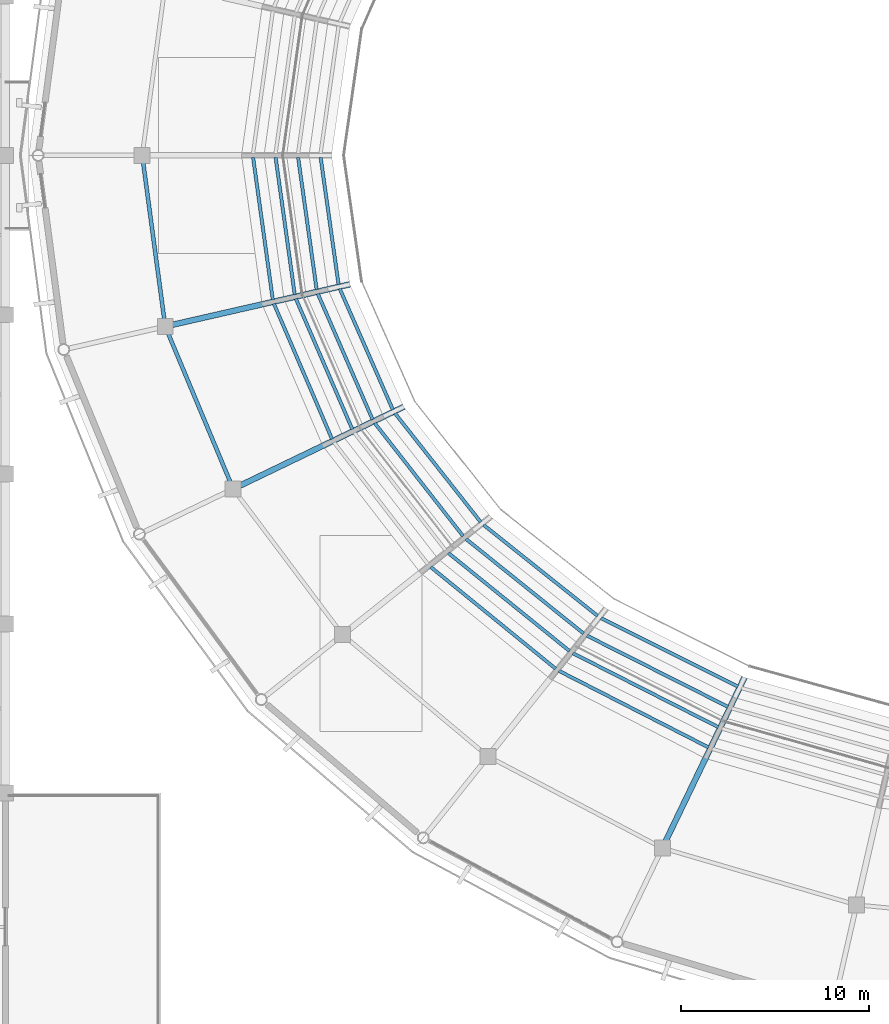
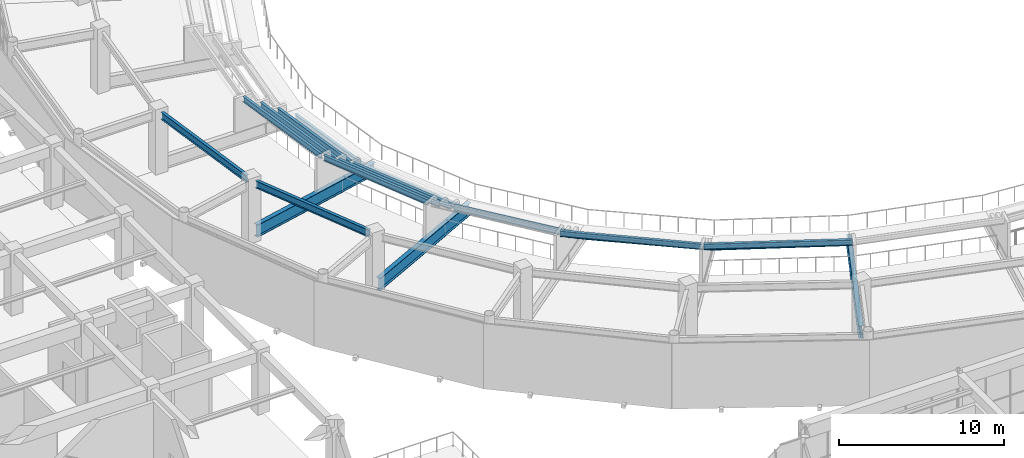
# One storey, part 29 of 122: 23 beams.
"""IFC4 building model written with IfcOpenShell, lengths in metres."""

from ifc_helpers import new_model, si_unit, direction, frame, origin, origin_2d, place, context, subcontext, project, spatial, i_section, extrude, material, material_profile, profile_set, type_object, element, save


model = new_model("IFC4")

# Units and contexts
model_context = context("Model", 3, precision=1e-05, world=origin(), true_north=direction((0.0, 1.0)))
body_context = subcontext(model_context, "Body", "Model", "MODEL_VIEW")
ifc_project = project(units=[si_unit("LENGTHUNIT", "METRE"), si_unit("AREAUNIT", "SQUARE_METRE"), si_unit("VOLUMEUNIT", "CUBIC_METRE"), si_unit("PLANEANGLEUNIT", "RADIAN"), si_unit("MASSUNIT", "GRAM", prefix="KILO")], contexts=[model_context])

# Site, building, storey
site_placement = place(None, origin())
site = spatial("IfcSite", under=ifc_project, at=site_placement, CompositionType="ELEMENT")
building_placement = place(site_placement, origin())
building = spatial("IfcBuilding", under=site, at=building_placement, Name="Cuetzalor Civic Arena", CompositionType="ELEMENT")
storey_placement = place(building_placement, frame((0.0, 0.0, 16.199951171875)))
storey = spatial("IfcBuildingStorey", under=building, at=storey_placement, Name="L03", CompositionType="ELEMENT", Elevation=16.199951171875)

# Beams
ifc_material_1 = material(Name="Steel S355", Category="steel")
ifc_material_profile_1 = material_profile(ifc_material_1, i_section(OverallWidth=0.208984375, OverallDepth=0.532958984375, WebThickness=0.01025390625, FlangeThickness=0.015625, at=origin_2d()), Name="W530x92")
ifc_profile_set_1 = profile_set([ifc_material_profile_1], Name="Steel S355")
beam_type_1 = type_object("IfcBeamType", Name="SteelCollarGirder_W530", PredefinedType="BEAM", material=ifc_profile_set_1)
beam_1_placement = place(storey_placement, frame((-48.95068359375, -0.36669921875, 4.253662109375), z_axis=(0.13346702922, -0.991053253923, 0.0), x_axis=(0.991053253923, 0.13346702922, 0.0)))
element("IfcBeam", 1, at=beam_1_placement, inside=storey, type_object=beam_type_1, Name="Drum Concourse Ring Girder L03-S15", PredefinedType="BEAM", context=body_context, shape_type="SweptSolid", body=[
    extrude(i_section(OverallWidth=0.208984375, OverallDepth=0.532958984375, WebThickness=0.01025390625, FlangeThickness=0.015625, at=origin_2d()), origin(), (0.0, 0.0, 1.0), 8.465576171875),
])
beam_2_placement = place(storey_placement, frame((-47.628662109375, -9.46484375, 4.253662109375), z_axis=(0.385813116722, -0.922576955579, 0.0), x_axis=(0.922576955579, 0.385813116722, 0.0)))
element("IfcBeam", 2, at=beam_2_placement, inside=storey, type_object=beam_type_1, Name="Drum Concourse Ring Girder L03-S16", PredefinedType="BEAM", context=body_context, shape_type="SweptSolid", body=[
    extrude(i_section(OverallWidth=0.208984375, OverallDepth=0.532958984375, WebThickness=0.01025390625, FlangeThickness=0.015625, at=origin_2d()), origin(), (0.0, 0.0, 1.0), 8.65283203125),
])
ifc_material_2 = material(Name="Steel S355", Category="steel")
ifc_material_profile_2 = material_profile(ifc_material_2, i_section(OverallWidth=0.177978515625, OverallDepth=0.406982421875, WebThickness=0.0078125, FlangeThickness=0.0126953125, at=origin_2d()), Name="W410x60")
ifc_profile_set_2 = profile_set([ifc_material_profile_2], Name="Steel S355")
beam_type_2 = type_object("IfcBeamType", Name="SteelSecondaryBeam_W410", PredefinedType="BEAM", material=ifc_profile_set_2)
beam_3_placement = place(storey_placement, frame((-39.48486328125, -0.10693359375, 0.70751953125), z_axis=(0.139872342407, -0.990169544992, 0.0), x_axis=(0.990169544992, 0.139872342407, 0.0)))
element("IfcBeam", 3, at=beam_3_placement, inside=storey, type_object=beam_type_2, Name="Upper Bowl Tier Carrier Beam S15-R1", PredefinedType="BEAM", context=body_context, shape_type="SweptSolid", body=[
    extrude(i_section(OverallWidth=0.177978515625, OverallDepth=0.406982421875, WebThickness=0.0078125, FlangeThickness=0.0126953125, at=origin_2d()), origin(), (0.0, 0.0, 1.0), 6.863037109375),
])
beam_4_placement = place(storey_placement, frame((-40.68505859375, -0.10693359375, 1.551513671875), z_axis=(0.138885554946, -0.990308438128, 0.0), x_axis=(0.990308438128, 0.138885554946, 0.0)))
element("IfcBeam", 4, at=beam_4_placement, inside=storey, type_object=beam_type_2, Name="Upper Bowl Tier Carrier Beam S15-R2", PredefinedType="BEAM", context=body_context, shape_type="SweptSolid", body=[
    extrude(i_section(OverallWidth=0.177978515625, OverallDepth=0.406982421875, WebThickness=0.0078125, FlangeThickness=0.0126953125, at=origin_2d()), origin(), (0.0, 0.0, 1.0), 7.131591796875),
])
beam_5_placement = place(storey_placement, frame((-41.885009765625, -0.10693359375, 2.401611328125), z_axis=(0.137901017398, -0.990446015389, 0.0), x_axis=(0.990446015389, 0.137901017398, 0.0)))
element("IfcBeam", 5, at=beam_5_placement, inside=storey, type_object=beam_type_2, Name="Upper Bowl Tier Carrier Beam S15-R3", PredefinedType="BEAM", context=body_context, shape_type="SweptSolid", body=[
    extrude(i_section(OverallWidth=0.177978515625, OverallDepth=0.406982421875, WebThickness=0.0078125, FlangeThickness=0.0126953125, at=origin_2d()), origin(), (0.0, 0.0, 1.0), 7.400390625),
])
beam_6_placement = place(storey_placement, frame((-43.085205078125, -0.10693359375, 3.25146484375), z_axis=(0.13704781732, -0.990564432921, 0.0), x_axis=(0.990564432921, 0.13704781732, 0.0)))
element("IfcBeam", 6, at=beam_6_placement, inside=storey, type_object=beam_type_2, Name="Upper Bowl Tier Carrier Beam S15-R4", PredefinedType="BEAM", context=body_context, shape_type="SweptSolid", body=[
    extrude(i_section(OverallWidth=0.177978515625, OverallDepth=0.406982421875, WebThickness=0.0078125, FlangeThickness=0.0126953125, at=origin_2d()), origin(), (0.0, 0.0, 1.0), 7.6689453125),
])
beam_7_placement = place(storey_placement, frame((-38.46630859375, -7.1083984375, 0.70751953125), z_axis=(0.401827995853, -0.915715164092, 0.0), x_axis=(0.915715164092, 0.401827995853, 0.0)))
element("IfcBeam", 7, at=beam_7_placement, inside=storey, type_object=beam_type_2, Name="Upper Bowl Tier Carrier Beam S16-R1", PredefinedType="BEAM", context=body_context, shape_type="SweptSolid", body=[
    extrude(i_section(OverallWidth=0.177978515625, OverallDepth=0.406982421875, WebThickness=0.0078125, FlangeThickness=0.0126953125, at=origin_2d()), origin(), (0.0, 0.0, 1.0), 7.054443359375),
])
beam_8_placement = place(storey_placement, frame((-39.636474609375, -7.37548828125, 1.551513671875), z_axis=(0.399312420553, -0.916814916323, 0.0), x_axis=(0.916814916323, 0.399312420553, 0.0)))
element("IfcBeam", 8, at=beam_8_placement, inside=storey, type_object=beam_type_2, Name="Upper Bowl Tier Carrier Beam S16-R2", PredefinedType="BEAM", context=body_context, shape_type="SweptSolid", body=[
    extrude(i_section(OverallWidth=0.177978515625, OverallDepth=0.406982421875, WebThickness=0.0078125, FlangeThickness=0.0126953125, at=origin_2d()), origin(), (0.0, 0.0, 1.0), 7.32275390625),
])
beam_9_placement = place(storey_placement, frame((-40.806640625, -7.642578125, 2.401611328125), z_axis=(0.396956554552, -0.917837400523, 0.0), x_axis=(0.917837400523, 0.396956554552, 0.0)))
element("IfcBeam", 9, at=beam_9_placement, inside=storey, type_object=beam_type_2, Name="Upper Bowl Tier Carrier Beam S16-R3", PredefinedType="BEAM", context=body_context, shape_type="SweptSolid", body=[
    extrude(i_section(OverallWidth=0.177978515625, OverallDepth=0.406982421875, WebThickness=0.0078125, FlangeThickness=0.0126953125, at=origin_2d()), origin(), (0.0, 0.0, 1.0), 7.5908203125),
])
beam_10_placement = place(storey_placement, frame((-41.976806640625, -7.90966796875, 3.25146484375), z_axis=(0.394758994464, -0.918784706169, 0.0), x_axis=(0.918784706169, 0.394758994464, 0.0)))
element("IfcBeam", 10, at=beam_10_placement, inside=storey, type_object=beam_type_2, Name="Upper Bowl Tier Carrier Beam S16-R4", PredefinedType="BEAM", context=body_context, shape_type="SweptSolid", body=[
    extrude(i_section(OverallWidth=0.177978515625, OverallDepth=0.406982421875, WebThickness=0.0078125, FlangeThickness=0.0126953125, at=origin_2d()), origin(), (0.0, 0.0, 1.0), 7.858642578125),
])
beam_11_placement = place(storey_placement, frame((-35.521484375, -13.752197265625, 0.70751953125), z_axis=(0.618890762306, -0.785477067986, 0.0), x_axis=(0.785477067986, 0.618890762306, 0.0)))
element("IfcBeam", 11, at=beam_11_placement, inside=storey, type_object=beam_type_2, Name="Upper Bowl Tier Carrier Beam S17-R1", PredefinedType="BEAM", context=body_context, shape_type="SweptSolid", body=[
    extrude(i_section(OverallWidth=0.177978515625, OverallDepth=0.406982421875, WebThickness=0.0078125, FlangeThickness=0.0126953125, at=origin_2d()), origin(), (0.0, 0.0, 1.0), 7.387939453125),
])
beam_12_placement = place(storey_placement, frame((-36.602783203125, -14.273193359375, 1.551513671875), z_axis=(0.61605368018, -0.787704172349, 0.0), x_axis=(0.787704172349, 0.61605368018, 0.0)))
element("IfcBeam", 12, at=beam_12_placement, inside=storey, type_object=beam_type_2, Name="Upper Bowl Tier Carrier Beam S17-R2", PredefinedType="BEAM", context=body_context, shape_type="SweptSolid", body=[
    extrude(i_section(OverallWidth=0.177978515625, OverallDepth=0.406982421875, WebThickness=0.0078125, FlangeThickness=0.0126953125, at=origin_2d()), origin(), (0.0, 0.0, 1.0), 7.65478515625),
])
beam_13_placement = place(storey_placement, frame((-30.7978515625, -19.707275390625, 0.70751953125), z_axis=(0.781840949044, -0.623477930963, 0.0), x_axis=(0.623477930963, 0.781840949044, 0.0)))
element("IfcBeam", 13, at=beam_13_placement, inside=storey, type_object=beam_type_2, Name="Upper Bowl Tier Carrier Beam S18-R1", PredefinedType="BEAM", context=body_context, shape_type="SweptSolid", body=[
    extrude(i_section(OverallWidth=0.177978515625, OverallDepth=0.406982421875, WebThickness=0.0078125, FlangeThickness=0.0126953125, at=origin_2d()), origin(), (0.0, 0.0, 1.0), 7.78369140625),
])
beam_14_placement = place(storey_placement, frame((-31.736328125, -20.455810546875, 1.551513671875), z_axis=(0.779559434409, -0.626328259162, 0.0), x_axis=(0.626328259162, 0.779559434409, 0.0)))
element("IfcBeam", 14, at=beam_14_placement, inside=storey, type_object=beam_type_2, Name="Upper Bowl Tier Carrier Beam S18-R2", PredefinedType="BEAM", context=body_context, shape_type="SweptSolid", body=[
    extrude(i_section(OverallWidth=0.177978515625, OverallDepth=0.406982421875, WebThickness=0.0078125, FlangeThickness=0.0126953125, at=origin_2d()), origin(), (0.0, 0.0, 1.0), 8.05078125),
])
beam_15_placement = place(storey_placement, frame((-32.6748046875, -21.2041015625, 2.401611328125), z_axis=(0.777400684757, -0.629005703742, 0.0), x_axis=(0.629005703742, 0.777400684757, 0.0)))
element("IfcBeam", 15, at=beam_15_placement, inside=storey, type_object=beam_type_2, Name="Upper Bowl Tier Carrier Beam S18-R3", PredefinedType="BEAM", context=body_context, shape_type="SweptSolid", body=[
    extrude(i_section(OverallWidth=0.177978515625, OverallDepth=0.406982421875, WebThickness=0.0078125, FlangeThickness=0.0126953125, at=origin_2d()), origin(), (0.0, 0.0, 1.0), 8.318115234375),
])
beam_16_placement = place(storey_placement, frame((-33.61328125, -21.95263671875, 3.25146484375), z_axis=(0.775407216872, -0.631461517452, 0.0), x_axis=(0.631461517452, 0.775407216872, 0.0)))
element("IfcBeam", 16, at=beam_16_placement, inside=storey, type_object=beam_type_2, Name="Upper Bowl Tier Carrier Beam S18-R4", PredefinedType="BEAM", context=body_context, shape_type="SweptSolid", body=[
    extrude(i_section(OverallWidth=0.177978515625, OverallDepth=0.406982421875, WebThickness=0.0078125, FlangeThickness=0.0126953125, at=origin_2d()), origin(), (0.0, 0.0, 1.0), 8.58544921875),
])
beam_17_placement = place(storey_placement, frame((-24.53125, -24.676025390625, 0.70751953125), z_axis=(0.894037945543, -0.447991240907, 0.0), x_axis=(0.447991240907, 0.894037945543, 0.0)))
element("IfcBeam", 17, at=beam_17_placement, inside=storey, type_object=beam_type_2, Name="Upper Bowl Tier Carrier Beam S19-R1", PredefinedType="BEAM", context=body_context, shape_type="SweptSolid", body=[
    extrude(i_section(OverallWidth=0.177978515625, OverallDepth=0.406982421875, WebThickness=0.0078125, FlangeThickness=0.0126953125, at=origin_2d()), origin(), (0.0, 0.0, 1.0), 8.160888671875),
])
beam_18_placement = place(storey_placement, frame((-25.279541015625, -25.614501953125, 1.551513671875), z_axis=(0.892682460689, -0.45068617061, 0.0), x_axis=(0.45068617061, 0.892682460689, 0.0)))
element("IfcBeam", 18, at=beam_18_placement, inside=storey, type_object=beam_type_2, Name="Upper Bowl Tier Carrier Beam S19-R2", PredefinedType="BEAM", context=body_context, shape_type="SweptSolid", body=[
    extrude(i_section(OverallWidth=0.177978515625, OverallDepth=0.406982421875, WebThickness=0.0078125, FlangeThickness=0.0126953125, at=origin_2d()), origin(), (0.0, 0.0, 1.0), 8.428466796875),
])
beam_19_placement = place(storey_placement, frame((-26.02783203125, -26.552978515625, 2.401611328125), z_axis=(0.891420116487, -0.453177863452, 0.0), x_axis=(0.453177863452, 0.891420116487, 0.0)))
element("IfcBeam", 19, at=beam_19_placement, inside=storey, type_object=beam_type_2, Name="Upper Bowl Tier Carrier Beam S19-R3", PredefinedType="BEAM", context=body_context, shape_type="SweptSolid", body=[
    extrude(i_section(OverallWidth=0.177978515625, OverallDepth=0.406982421875, WebThickness=0.0078125, FlangeThickness=0.0126953125, at=origin_2d()), origin(), (0.0, 0.0, 1.0), 8.6962890625),
])
beam_20_placement = place(storey_placement, frame((-26.7763671875, -27.491455078125, 3.25146484375), z_axis=(0.890226845058, -0.455517468751, 0.0), x_axis=(0.455517468751, 0.890226845058, 0.0)))
element("IfcBeam", 20, at=beam_20_placement, inside=storey, type_object=beam_type_2, Name="Upper Bowl Tier Carrier Beam S19-R4", PredefinedType="BEAM", context=body_context, shape_type="SweptSolid", body=[
    extrude(i_section(OverallWidth=0.177978515625, OverallDepth=0.406982421875, WebThickness=0.0078125, FlangeThickness=0.0126953125, at=origin_2d()), origin(), (0.0, 0.0, 1.0), 8.9638671875),
])
ifc_material_3 = material(Name="Steel S355", Category="steel")
ifc_material_profile_3 = material_profile(ifc_material_3, i_section(OverallWidth=0.303955078125, OverallDepth=0.910888671875, WebThickness=0.015869140625, FlangeThickness=0.02392578125, at=origin_2d()), Name="W920x223")
ifc_profile_set_3 = profile_set([ifc_material_profile_3], Name="Steel S355")
beam_type_3 = type_object("IfcBeamType", Name="UpperBowlRakerBeam_W840", PredefinedType="USERDEFINED", material=ifc_profile_set_3)
beam_21_placement = place(storey_placement, frame((-37.9248046875, -6.8759765625, 0.45556640625), z_axis=(-0.974928142216, -0.222519926106, 0.0), x_axis=(0.222519926106, -0.974928142216, 0.0)))
element("IfcBeam", 21, at=beam_21_placement, inside=storey, type_object=beam_type_3, Name="Upper Bowl Raker Beam R16", ObjectType="RAKER", PredefinedType="USERDEFINED", context=body_context, shape_type="SweptSolid", body=[
    extrude(i_section(OverallWidth=0.303955078125, OverallDepth=0.910888671875, WebThickness=0.015869140625, FlangeThickness=0.02392578125, at=origin_2d()), origin(), (0.0, 0.0, 1.0), 9.7197265625),
])
for number, where, z_axis, x_axis, name in (
    (22, (-35.047607421875, -13.406982421875, 0.45556640625), (-0.900974397219, -0.433872257187, 0.0), (0.433872257187, -0.900974397219, 0.0), "Upper Bowl Raker Beam R17"),
    (23, (-16.878173828125, -27.83984375, 0.45556640625), (-0.433872257187, -0.900974397219, 0.0), (0.900974397219, -0.433872257187, 0.0), "Upper Bowl Raker Beam R20"),
):
    element("IfcBeam", number, at=place(storey_placement, frame(where, z_axis=z_axis, x_axis=x_axis)), inside=storey, type_object=beam_type_3, Name=name, ObjectType="RAKER", PredefinedType="USERDEFINED", context=body_context, shape_type="SweptSolid", body=[
        extrude(i_section(OverallWidth=0.303955078125, OverallDepth=0.910888671875, WebThickness=0.015869140625, FlangeThickness=0.02392578125, at=origin_2d()), origin(), (0.0, 0.0, 1.0), 9.72021484375),
    ])

save(model, "model.ifc")
